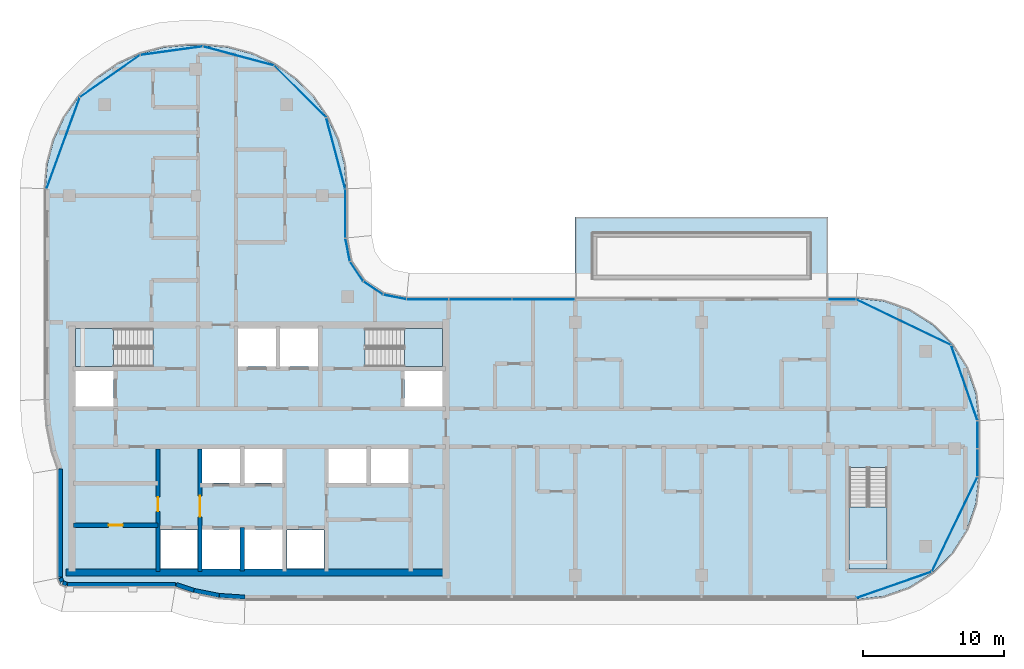
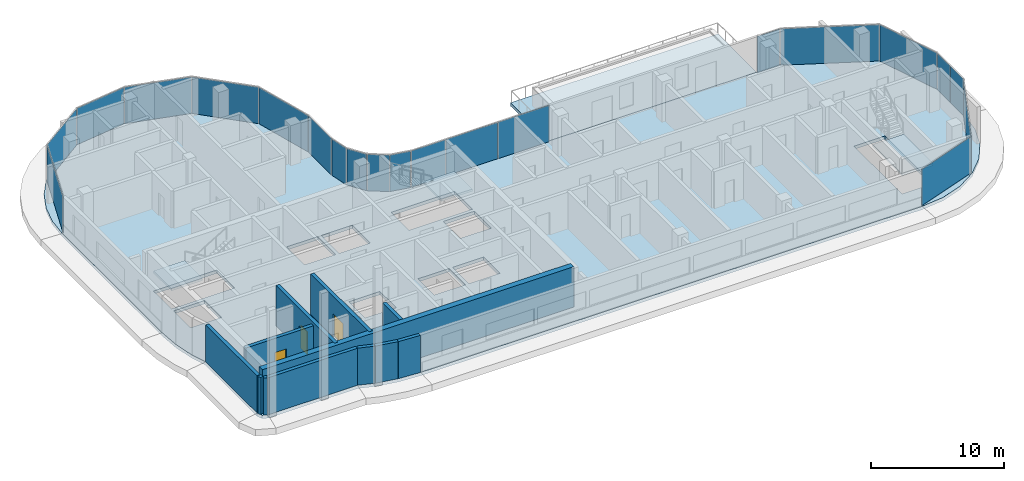
# One storey, part 8 of 20: 21 plates, 12 walls, 5 slabs, 3 doors, 3 openings, 11 elements without a shape of their own.
"""IFC4 building model written with IfcOpenShell, lengths in metres."""

from ifc_helpers import new_model, si_unit, direction, frame, frame_2d, origin, origin_2d, place, context, subcontext, project, spatial, polyline, rectangle, outline, extrude, material, layer, layer_set, type_object, element, fill, aggregate, save


model = new_model("IFC4")

# Units and contexts
model_context = context("Model", 3, precision=1e-05, world=origin(), true_north=direction((0.0, 1.0)))
body_context = subcontext(model_context, "Body", "Model", "MODEL_VIEW")
ifc_project = project(units=[si_unit("LENGTHUNIT", "METRE"), si_unit("AREAUNIT", "SQUARE_METRE"), si_unit("VOLUMEUNIT", "CUBIC_METRE"), si_unit("PLANEANGLEUNIT", "RADIAN"), si_unit("MASSUNIT", "GRAM", prefix="KILO")], contexts=[model_context])

# Site, building, storey
site_placement = place(None, origin())
site = spatial("IfcSite", under=ifc_project, at=site_placement, CompositionType="ELEMENT")
building_placement = place(site_placement, origin())
building = spatial("IfcBuilding", under=site, at=building_placement, Name="Ogive Portal Towers", CompositionType="ELEMENT")
storey_placement = place(building_placement, frame((0.0, 0.0, 195.800048828125)))
storey = spatial("IfcBuildingStorey", under=building, at=storey_placement, Name="L48", CompositionType="ELEMENT", Elevation=195.800048828125)

# Curtain wall, plates
ifc_material_1 = material(Name="Glass, clear low-iron insulated glazing", Category="glass")
curtain_wall_type = type_object("IfcCurtainWallType", Name="CW FRONT RIBBON 4500", PredefinedType="NOTDEFINED", material=ifc_material_1)
curtain_wall_1_placement = place(storey_placement, origin())
curtain_wall_1 = element("IfcCurtainWall", 1, at=curtain_wall_1_placement, inside=storey, type_object=curtain_wall_type, Name="A:L48:f10:cw0", PredefinedType="NOTDEFINED")
ifc_layer_1 = layer(ifc_material_1, 0.028076171875)
ifc_layer_set_1 = layer_set([ifc_layer_1], Name="CW PANEL IGU 28")
plate_type = type_object("IfcPlateType", Name="CW PANEL IGU 28", PredefinedType="CURTAIN_PANEL", material=ifc_layer_set_1)
plate_1_placement = place(storey_placement, frame((96.135009765625, 29.509033203125, 0.0), z_axis=(0.0, 0.0, 1.0), x_axis=(0.0, 1.0, 0.0)))
plate_1 = element("IfcPlate", 2, at=plate_1_placement, type_object=plate_type, Name="panel", PredefinedType="CURTAIN_PANEL", context=body_context, shape_type="SweptSolid", body=[
    extrude(rectangle(XDim=1.921630859375, YDim=0.028076171875, at=origin_2d()), origin(), (0.0, 0.0, 1.0), 3.340087890625),
])
plate_2_placement = place(storey_placement, frame((96.135009765625, 31.4931640625, 0.0), z_axis=(0.0, 0.0, 1.0), x_axis=(0.0, 1.0, 0.0)))
plate_2 = element("IfcPlate", 3, at=plate_2_placement, type_object=plate_type, Name="panel", PredefinedType="CURTAIN_PANEL", context=body_context, shape_type="SweptSolid", body=[
    extrude(rectangle(XDim=1.926513671875, YDim=0.028076171875, at=origin_2d()), origin(), (0.0, 0.0, 1.0), 3.340087890625),
])
aggregate(curtain_wall_1, [plate_1, plate_2])

# Curtain wall, plate
curtain_wall_2_placement = place(storey_placement, origin())
curtain_wall_2 = element("IfcCurtainWall", 4, at=curtain_wall_2_placement, inside=storey, type_object=curtain_wall_type, Name="A:L48:f13:cw0", PredefinedType="NOTDEFINED")
plate_3_placement = place(storey_placement, frame((86.482177734375, 41.135009765625, 0.0), z_axis=(0.0, 0.0, 1.0), x_axis=(-1.0, 0.0, 0.0)))
plate_3 = element("IfcPlate", 5, at=plate_3_placement, type_object=plate_type, Name="panel", PredefinedType="CURTAIN_PANEL", context=body_context, shape_type="SweptSolid", body=[
    extrude(rectangle(XDim=1.939453125, YDim=0.028076171875, at=origin_2d()), origin(), (0.0, 0.0, 1.0), 3.340087890625),
])
aggregate(curtain_wall_2, [plate_3])

# Curtain wall, plates
curtain_wall_3_placement = place(storey_placement, origin())
curtain_wall_3 = element("IfcCurtainWall", 6, at=curtain_wall_3_placement, inside=storey, type_object=curtain_wall_type, Name="A:L48:f13:cw1", PredefinedType="NOTDEFINED")
plate_4_placement = place(storey_placement, frame((65.244140625, 41.135009765625, 0.0), z_axis=(0.0, 0.0, 1.0), x_axis=(-1.0, 0.0, 0.0)))
plate_4 = element("IfcPlate", 7, at=plate_4_placement, type_object=plate_type, Name="panel", PredefinedType="CURTAIN_PANEL", context=body_context, shape_type="SweptSolid", body=[
    extrude(rectangle(XDim=4.42822265625, YDim=0.028076171875, at=origin_2d()), origin(), (0.0, 0.0, 1.0), 3.340087890625),
])
plate_5_placement = place(storey_placement, frame((60.75, 41.135009765625, 0.0), z_axis=(0.0, 0.0, 1.0), x_axis=(-1.0, 0.0, 0.0)))
plate_5 = element("IfcPlate", 8, at=plate_5_placement, type_object=plate_type, Name="panel", PredefinedType="CURTAIN_PANEL", context=body_context, shape_type="SweptSolid", body=[
    extrude(rectangle(XDim=4.43994140625, YDim=0.028076171875, at=origin_2d()), origin(), (0.0, 0.0, 1.0), 3.340087890625),
])
plate_6_placement = place(storey_placement, frame((56.99609375, 41.135009765625, 0.0), z_axis=(0.0, 0.0, 1.0), x_axis=(-1.0, 0.0, 0.0)))
plate_6 = element("IfcPlate", 9, at=plate_6_placement, type_object=plate_type, Name="panel", PredefinedType="CURTAIN_PANEL", context=body_context, shape_type="SweptSolid", body=[
    extrude(rectangle(XDim=2.947998046875, YDim=0.028076171875, at=origin_2d()), origin(), (0.0, 0.0, 1.0), 3.340087890625),
])
aggregate(curtain_wall_3, [plate_4, plate_5, plate_6])

# Curtain wall, plate
curtain_wall_4_placement = place(storey_placement, origin())
curtain_wall_4 = element("IfcCurtainWall", 10, at=curtain_wall_4_placement, inside=storey, type_object=curtain_wall_type, Name="A:L48:f18:cw0", PredefinedType="NOTDEFINED")
plate_7_placement = place(storey_placement, frame((51.135009765625, 47.24072265625, 0.0), z_axis=(0.0, 0.0, 1.0), x_axis=(0.0, 1.0, 0.0)))
plate_7 = element("IfcPlate", 11, at=plate_7_placement, type_object=plate_type, Name="panel", PredefinedType="CURTAIN_PANEL", context=body_context, shape_type="SweptSolid", body=[
    extrude(rectangle(XDim=3.437255859375, YDim=0.028076171875, at=origin_2d()), origin(), (0.0, 0.0, 1.0), 3.340087890625),
])
aggregate(curtain_wall_4, [plate_7])

# Curtain wall, plates
curtain_wall_5_placement = place(storey_placement, origin())
curtain_wall_5 = element("IfcCurtainWall", 12, at=curtain_wall_5_placement, inside=storey, type_object=curtain_wall_type, Name="A:L48:f08:cwa", PredefinedType="NOTDEFINED")
plate_8_placement = place(storey_placement, frame((90.18115234375, 20.807861328125, 0.0), z_axis=(0.0, 0.0, 1.0), x_axis=(0.943883330307, 0.33027906196, 0.0)))
plate_8 = element("IfcPlate", 13, at=plate_8_placement, type_object=plate_type, Name="panel", PredefinedType="CURTAIN_PANEL", context=body_context, shape_type="SweptSolid", body=[
    extrude(rectangle(XDim=5.650146484375, YDim=0.028076171875, at=origin_2d()), origin(), (0.0, 0.0, 1.0), 3.340087890625),
])
plate_9_placement = place(storey_placement, frame((94.505615234375, 25.134521484375, 0.0), z_axis=(0.0, 0.0, 1.0), x_axis=(0.433883739113, 0.900968867905, 0.0)))
plate_9 = element("IfcPlate", 14, at=plate_9_placement, type_object=plate_type, Name="panel", PredefinedType="CURTAIN_PANEL", context=body_context, shape_type="SweptSolid", body=[
    extrude(rectangle(XDim=7.451171875, YDim=0.028076171875, at=origin_2d()), origin(), (0.0, 0.0, 1.0), 3.340087890625),
])
aggregate(curtain_wall_5, [plate_8, plate_9])

curtain_wall_6_placement = place(storey_placement, origin())
curtain_wall_6 = element("IfcCurtainWall", 15, at=curtain_wall_6_placement, inside=storey, type_object=curtain_wall_type, Name="A:L48:f11:cwa", PredefinedType="NOTDEFINED")
plate_10_placement = place(storey_placement, frame((95.192138671875, 35.18115234375, 0.0), z_axis=(0.0, 0.0, 1.0), x_axis=(-0.33027906196, 0.943883330307, 0.0)))
plate_10 = element("IfcPlate", 16, at=plate_10_placement, type_object=plate_type, Name="panel", PredefinedType="CURTAIN_PANEL", context=body_context, shape_type="SweptSolid", body=[
    extrude(rectangle(XDim=5.650146484375, YDim=0.028076171875, at=origin_2d()), origin(), (0.0, 0.0, 1.0), 3.340087890625),
])
plate_11_placement = place(storey_placement, frame((90.865478515625, 39.505615234375, 0.0), z_axis=(0.0, 0.0, 1.0), x_axis=(-0.900968867905, 0.433883739113, 0.0)))
plate_11 = element("IfcPlate", 17, at=plate_11_placement, type_object=plate_type, Name="panel", PredefinedType="CURTAIN_PANEL", context=body_context, shape_type="SweptSolid", body=[
    extrude(rectangle(XDim=7.451171875, YDim=0.028076171875, at=origin_2d()), origin(), (0.0, 0.0, 1.0), 3.340087890625),
])
aggregate(curtain_wall_6, [plate_10, plate_11])

curtain_wall_7_placement = place(storey_placement, origin())
curtain_wall_7 = element("IfcCurtainWall", 18, at=curtain_wall_7_placement, inside=storey, type_object=curtain_wall_type, Name="A:L48:f14:cwa", PredefinedType="NOTDEFINED")
plate_12_placement = place(storey_placement, frame((54.66064453125, 41.30029296875, 0.0), z_axis=(0.0, 0.0, 1.0), x_axis=(-0.980785280403, 0.195090322016, 0.0)))
plate_12 = element("IfcPlate", 19, at=plate_12_placement, type_object=plate_type, Name="panel", PredefinedType="CURTAIN_PANEL", context=body_context, shape_type="SweptSolid", body=[
    extrude(rectangle(XDim=1.6357421875, YDim=0.028076171875, at=origin_2d()), origin(), (0.0, 0.0, 1.0), 3.340087890625),
])
plate_13_placement = place(storey_placement, frame((53.12060546875, 41.939208984375, 0.0), z_axis=(0.0, 0.0, 1.0), x_axis=(-0.831469612303, 0.55557023302, 0.0)))
plate_13 = element("IfcPlate", 20, at=plate_13_placement, type_object=plate_type, Name="panel", PredefinedType="CURTAIN_PANEL", context=body_context, shape_type="SweptSolid", body=[
    extrude(rectangle(XDim=1.643798828125, YDim=0.028076171875, at=origin_2d()), origin(), (0.0, 0.0, 1.0), 3.340087890625),
])
plate_14_placement = place(storey_placement, frame((51.939208984375, 43.12060546875, 0.0), z_axis=(0.0, 0.0, 1.0), x_axis=(-0.55557023302, 0.831469612303, 0.0)))
plate_14 = element("IfcPlate", 21, at=plate_14_placement, type_object=plate_type, Name="panel", PredefinedType="CURTAIN_PANEL", context=body_context, shape_type="SweptSolid", body=[
    extrude(rectangle(XDim=1.643798828125, YDim=0.028076171875, at=origin_2d()), origin(), (0.0, 0.0, 1.0), 3.340087890625),
])
plate_15_placement = place(storey_placement, frame((51.30029296875, 44.66064453125, 0.0), z_axis=(0.0, 0.0, 1.0), x_axis=(-0.195090322016, 0.980785280403, 0.0)))
plate_15 = element("IfcPlate", 22, at=plate_15_placement, type_object=plate_type, Name="panel", PredefinedType="CURTAIN_PANEL", context=body_context, shape_type="SweptSolid", body=[
    extrude(rectangle(XDim=1.6357421875, YDim=0.028076171875, at=origin_2d()), origin(), (0.0, 0.0, 1.0), 3.340087890625),
])
aggregate(curtain_wall_7, [plate_12, plate_13, plate_14, plate_15])

curtain_wall_8_placement = place(storey_placement, origin())
curtain_wall_8 = element("IfcCurtainWall", 23, at=curtain_wall_8_placement, inside=storey, type_object=curtain_wall_type, Name="A:L48:f19:cwa", PredefinedType="NOTDEFINED")
plate_16_placement = place(storey_placement, frame((50.454833984375, 51.52783203125, 0.0), z_axis=(0.0, 0.0, 1.0), x_axis=(-0.258819045103, 0.965925826289, 0.0)))
plate_16 = element("IfcPlate", 24, at=plate_16_placement, type_object=plate_type, Name="panel", PredefinedType="CURTAIN_PANEL", context=body_context, shape_type="SweptSolid", body=[
    extrude(rectangle(XDim=5.19580078125, YDim=0.028076171875, at=origin_2d()), origin(), (0.0, 0.0, 1.0), 3.340087890625),
])
plate_17_placement = place(storey_placement, frame((47.92041015625, 55.92041015625, 0.0), z_axis=(0.0, 0.0, 1.0), x_axis=(-0.707106781187, 0.707106781187, 0.0)))
plate_17 = element("IfcPlate", 25, at=plate_17_placement, type_object=plate_type, Name="panel", PredefinedType="CURTAIN_PANEL", context=body_context, shape_type="SweptSolid", body=[
    extrude(rectangle(XDim=5.184814453125, YDim=0.028076171875, at=origin_2d()), origin(), (0.0, 0.0, 1.0), 3.340087890625),
])
plate_18_placement = place(storey_placement, frame((43.530517578125, 58.4541015625, 0.0), z_axis=(0.0, 0.0, 1.0), x_axis=(-0.965925826289, 0.258819045103, 0.0)))
plate_18 = element("IfcPlate", 26, at=plate_18_placement, type_object=plate_type, Name="panel", PredefinedType="CURTAIN_PANEL", context=body_context, shape_type="SweptSolid", body=[
    extrude(rectangle(XDim=5.190185546875, YDim=0.028076171875, at=origin_2d()), origin(), (0.0, 0.0, 1.0), 3.340087890625),
])
plate_19_placement = place(storey_placement, frame((38.765625, 58.827880859375, 0.0), z_axis=(0.0, 0.0, 1.0), x_axis=(-0.990733764465, -0.135818290186, 0.0)))
plate_19 = element("IfcPlate", 27, at=plate_19_placement, type_object=plate_type, Name="panel", PredefinedType="CURTAIN_PANEL", context=body_context, shape_type="SweptSolid", body=[
    extrude(rectangle(XDim=4.440185546875, YDim=0.028076171875, at=origin_2d()), origin(), (0.0, 0.0, 1.0), 3.340087890625),
])
plate_20_placement = place(storey_placement, frame((34.388916015625, 57.0185546875, 0.0), z_axis=(0.0, 0.0, 1.0), x_axis=(-0.819152044289, -0.573576436351, 0.0)))
plate_20 = element("IfcPlate", 28, at=plate_20_placement, type_object=plate_type, Name="panel", PredefinedType="CURTAIN_PANEL", context=body_context, shape_type="SweptSolid", body=[
    extrude(rectangle(XDim=5.18310546875, YDim=0.028076171875, at=origin_2d()), origin(), (0.0, 0.0, 1.0), 3.340087890625),
])
plate_21_placement = place(storey_placement, frame((31.05322265625, 52.25048828125, 0.0), z_axis=(0.0, 0.0, 1.0), x_axis=(-0.342020143326, -0.939692620786, 0.0)))
plate_21 = element("IfcPlate", 29, at=plate_21_placement, type_object=plate_type, Name="panel", PredefinedType="CURTAIN_PANEL", context=body_context, shape_type="SweptSolid", body=[
    extrude(rectangle(XDim=6.88818359375, YDim=0.028076171875, at=origin_2d()), origin(), (0.0, 0.0, 1.0), 3.340087890625),
])
aggregate(curtain_wall_8, [plate_16, plate_17, plate_18, plate_19, plate_20, plate_21])

# Stair, slab
ifc_material_2 = material(Name="Concrete C40/50", Category="concrete")
stair_type = type_object("IfcStairType", Name="INT-STAIR", PredefinedType="HALF_TURN_STAIR", material=ifc_material_2)
stair_1_placement = place(storey_placement, origin())
stair_1 = element("IfcStair", 30, at=stair_1_placement, inside=storey, type_object=stair_type, Name="L48 Exit Stair ST-A1", PredefinedType="HALF_TURN_STAIR")
ifc_layer_2 = layer(ifc_material_2, 0.199951171875)
ifc_layer_set_2 = layer_set([ifc_layer_2], Name="INT-LANDING")
slab_type_1 = type_object("IfcSlabType", Name="INT-LANDING", PredefinedType="LANDING", material=ifc_layer_set_2)
slab_1_placement = place(storey_placement, frame((0.0, 0.0, 1.64990234375)))
slab_1 = element("IfcSlab", 31, at=slab_1_placement, type_object=slab_type_1, Name="ST-A1 landing 1", PredefinedType="LANDING", context=body_context, shape_type="SweptSolid", body=[
    extrude(outline(polyline([(34.64990234375, 39.050048828125), (31.949951171875, 39.050048828125), (31.949951171875, 36.35009765625), (34.64990234375, 36.35009765625), (34.64990234375, 39.050048828125)])), origin(), (0.0, 0.0, 1.0), 0.199951171875),
])
aggregate(stair_1, [slab_1])

stair_2_placement = place(storey_placement, origin())
stair_2 = element("IfcStair", 32, at=stair_2_placement, inside=storey, type_object=stair_type, Name="L48 Exit Stair ST-A2", PredefinedType="HALF_TURN_STAIR")
slab_2_placement = place(storey_placement, frame((0.0, 0.0, 1.64990234375)))
slab_2 = element("IfcSlab", 33, at=slab_2_placement, type_object=slab_type_1, Name="ST-A2 landing 1", PredefinedType="LANDING", context=body_context, shape_type="SweptSolid", body=[
    extrude(outline(polyline([(55.35009765625, 36.35009765625), (58.050048828125, 36.35009765625), (58.050048828125, 39.050048828125), (55.35009765625, 39.050048828125), (55.35009765625, 36.35009765625)])), origin(), (0.0, 0.0, 1.0), 0.199951171875),
])
aggregate(stair_2, [slab_2])

stair_3_placement = place(storey_placement, origin())
stair_3 = element("IfcStair", 34, at=stair_3_placement, inside=storey, type_object=stair_type, Name="L48 Exit Stair ST-A4", PredefinedType="HALF_TURN_STAIR")
slab_3_placement = place(storey_placement, frame((0.0, 0.0, 1.64990234375)))
slab_3 = element("IfcSlab", 35, at=slab_3_placement, type_object=slab_type_1, Name="ST-A4 landing 1", PredefinedType="LANDING", context=body_context, shape_type="SweptSolid", body=[
    extrude(outline(polyline([(87.0, 26.3701171875), (87.0, 21.949951171875), (89.699951171875, 21.949951171875), (89.699951171875, 26.3701171875), (87.0, 26.3701171875)])), origin(), (0.0, 0.0, 1.0), 0.199951171875),
])
aggregate(stair_3, [slab_3])

# Slabs
ifc_layer_3 = layer(ifc_material_2, 0.300048828125)
ifc_layer_set_3 = layer_set([ifc_layer_3], Name="POOL DECK SLAB 300")
slab_type_2 = type_object("IfcSlabType", Name="POOL DECK SLAB 300", PredefinedType="FLOOR", material=ifc_layer_set_3)
slab_4_placement = place(storey_placement, frame((0.0, 0.0, -0.300048828125)))
element("IfcSlab", 36, at=slab_4_placement, inside=storey, type_object=slab_type_2, Name="Sky pool deck", PredefinedType="FLOOR", context=body_context, shape_type="SweptSolid", body=[
    extrude(outline(polyline([(67.5, 41.215087890625), (85.5, 41.215087890625), (85.5, 47.0), (67.5, 47.0), (67.5, 41.215087890625)])), origin(), (0.0, 0.0, 1.0), 0.300048828125),
])
ifc_material_3 = material(Name="Concrete C45/55", Category="concrete")
ifc_layer_4 = layer(ifc_material_3, 0.300048828125)
ifc_layer_set_4 = layer_set([ifc_layer_4], Name="PT FLAT PLATE 300")
slab_type_3 = type_object("IfcSlabType", Name="PT FLAT PLATE 300", PredefinedType="FLOOR", material=ifc_layer_set_4)
slab_5_placement = place(storey_placement, frame((0.0, 0.0, -0.300048828125)))
element("IfcSlab", 37, at=slab_5_placement, inside=storey, type_object=slab_type_3, Name="Floor slab L48", PredefinedType="FLOOR", context=body_context, shape_type="SweptSolid", body=[
    extrude(outline(polyline([(29.906494140625, 32.14453125), (30.269287109375, 30.32080078125), (30.699951171875, 29.05224609375), (30.699951171875, 21.300048828125), (30.875732421875, 20.875732421875), (31.300048828125, 20.699951171875), (39.05224609375, 20.699951171875), (40.32080078125, 20.269287109375), (42.14453125, 19.906494140625), (44.0, 19.784912109375), (87.5, 19.784912109375), (89.439208984375, 20.00341796875), (91.28125, 20.648193359375), (92.93359375, 21.686279296875), (94.313720703125, 23.06640625), (95.351806640625, 24.71875), (95.99658203125, 26.560791015625), (96.215087890625, 28.5), (96.215087890625, 32.5), (95.99658203125, 34.439208984375), (95.351806640625, 36.28125), (94.313720703125, 37.93359375), (92.93359375, 39.313720703125), (91.28125, 40.351806640625), (89.439208984375, 40.99658203125), (87.5, 41.215087890625), (55.5, 41.215087890625), (53.860107421875, 41.541259765625), (52.469970703125, 42.469970703125), (51.541259765625, 43.860107421875), (51.215087890625, 45.5), (51.215087890625, 49.0), (51.059814453125, 50.773681640625), (50.59912109375, 52.49365234375), (49.846435546875, 54.107421875), (48.8251953125, 55.566162109375), (47.566162109375, 56.8251953125), (46.107421875, 57.846435546875), (44.49365234375, 58.59912109375), (42.773681640625, 59.059814453125), (41.0, 59.215087890625), (40.0, 59.215087890625), (38.226318359375, 59.059814453125), (36.50634765625, 58.59912109375), (34.892578125, 57.846435546875), (33.433837890625, 56.8251953125), (32.1748046875, 55.566162109375), (31.153564453125, 54.107421875), (30.40087890625, 52.49365234375), (29.940185546875, 50.773681640625), (29.784912109375, 49.0), (29.784912109375, 34.0), (29.906494140625, 32.14453125)]), holes=[polyline([(40.6298828125, 24.72998046875), (40.6298828125, 21.969970703125), (37.969970703125, 21.969970703125), (37.969970703125, 24.72998046875), (40.6298828125, 24.72998046875)]), polyline([(43.64990234375, 24.75), (43.64990234375, 21.949951171875), (40.949951171875, 21.949951171875), (40.949951171875, 24.75), (43.64990234375, 24.75)]), polyline([(46.64990234375, 24.75), (46.64990234375, 21.949951171875), (43.949951171875, 21.949951171875), (43.949951171875, 24.75), (46.64990234375, 24.75)]), polyline([(43.64990234375, 30.5), (43.64990234375, 28.050048828125), (40.949951171875, 28.050048828125), (40.949951171875, 30.5), (43.64990234375, 30.5)]), polyline([(46.64990234375, 30.5), (46.64990234375, 28.050048828125), (43.949951171875, 28.050048828125), (43.949951171875, 30.5), (46.64990234375, 30.5)]), polyline([(34.64990234375, 36.050048828125), (34.64990234375, 33.5), (31.949951171875, 33.5), (31.949951171875, 36.050048828125), (34.64990234375, 36.050048828125)]), polyline([(31.951904296875, 39.048095703125), (37.447998046875, 39.048095703125), (37.447998046875, 36.35205078125), (31.951904296875, 36.35205078125), (31.951904296875, 39.048095703125)]), polyline([(46.199951171875, 39.050048828125), (46.199951171875, 36.35009765625), (43.5, 36.35009765625), (43.5, 39.050048828125), (46.199951171875, 39.050048828125)]), polyline([(49.6298828125, 21.969970703125), (46.969970703125, 21.969970703125), (46.969970703125, 24.72998046875), (49.6298828125, 24.72998046875), (49.6298828125, 21.969970703125)]), polyline([(87.001953125, 21.951904296875), (87.001953125, 29.16796875), (89.697998046875, 29.16796875), (89.697998046875, 21.951904296875), (87.001953125, 21.951904296875)]), polyline([(52.64990234375, 30.5), (52.64990234375, 28.050048828125), (49.949951171875, 28.050048828125), (49.949951171875, 30.5), (52.64990234375, 30.5)]), polyline([(55.64990234375, 30.5), (55.64990234375, 28.050048828125), (52.949951171875, 28.050048828125), (52.949951171875, 30.5), (55.64990234375, 30.5)]), polyline([(58.050048828125, 36.050048828125), (58.050048828125, 33.5), (55.35009765625, 33.5), (55.35009765625, 36.050048828125), (58.050048828125, 36.050048828125)]), polyline([(49.199951171875, 39.050048828125), (49.199951171875, 36.35009765625), (46.5, 36.35009765625), (46.5, 39.050048828125), (49.199951171875, 39.050048828125)]), polyline([(58.048095703125, 36.35205078125), (52.552001953125, 36.35205078125), (52.552001953125, 39.048095703125), (58.048095703125, 39.048095703125), (58.048095703125, 36.35205078125)])]), origin(), (0.0, 0.0, 1.0), 0.300048828125),
])

# Wall, opening, door
ifc_material_4 = material(Name="Concrete C60/75", Category="concrete")
ifc_layer_5 = layer(ifc_material_4, 0.300048828125)
ifc_layer_set_5 = layer_set([ifc_layer_5], Name="CORE WALL 300 C60")
wall_type_1 = type_object("IfcWallType", Name="CORE WALL 300 C60", PredefinedType="SHEAR", material=ifc_layer_set_5)
wall_1_placement = place(storey_placement, frame((37.800048828125, 21.75, 0.0), z_axis=(0.0, 0.0, 1.0), x_axis=(0.0, 1.0, 0.0)))
wall_1 = element("IfcWall", 38, at=wall_1_placement, inside=storey, type_object=wall_type_1, Name="Core wall X1 L48", PredefinedType="SHEAR", context=body_context, shape_type="SweptSolid", body=[
    extrude(rectangle(XDim=8.75, YDim=0.300048828125, at=frame_2d((4.375, 0.0))), origin(), (0.0, 0.0, 1.0), 3.699951171875),
])
opening_1_placement = place(wall_1_placement, frame((4.300048828125, 0.0, 0.0)))
opening_1 = element("IfcOpeningElement", 39, at=opening_1_placement, cuts=wall_1, Name="Opening D35-022", PredefinedType="OPENING", context=body_context, shape_type="SweptSolid", body=[
    extrude(rectangle(XDim=1.0, YDim=2.10009765625, at=frame_2d((0.5, 1.050048828125))), frame((0.0, 0.16015625, 0.0), z_axis=(0.0, -1.0, 0.0), x_axis=(1.0, 0.0, 0.0)), (0.0, 0.0, 1.0), 0.320068359375),
])
ifc_material_5 = material(Name="Steel fire door", Category="steel")
door_type_1 = type_object("IfcDoorType", Name="DT-SWING-1000x2100-FD90S", OperationType="SINGLE_SWING_LEFT", PredefinedType="DOOR", material=ifc_material_5)
door_1_placement = place(opening_1_placement, origin())
door_1 = element("IfcDoor", 40, at=door_1_placement, inside=storey, type_object=door_type_1, Name="Door D35-022", OperationType="SINGLE_SWING_RIGHT", OverallHeight=2.10009765625, OverallWidth=1.0, PredefinedType="DOOR", context=body_context, shape_type="SweptSolid", body=[
    extrude(rectangle(XDim=1.0, YDim=2.10009765625, at=frame_2d((0.5, 1.050048828125))), frame((0.0, 0.02490234375, 0.0), z_axis=(0.0, -1.0, 0.0), x_axis=(1.0, 0.0, 0.0)), (0.0, 0.0, 1.0), 0.050048828125),
])
fill(opening_1, door_1)

wall_2_placement = place(storey_placement, frame((40.800048828125, 21.75, 0.0), z_axis=(0.0, 0.0, 1.0), x_axis=(0.0, 1.0, 0.0)))
wall_2 = element("IfcWall", 41, at=wall_2_placement, inside=storey, type_object=wall_type_1, Name="Core wall X2 L48", PredefinedType="SHEAR", context=body_context, shape_type="SweptSolid", body=[
    extrude(rectangle(XDim=8.75, YDim=0.300048828125, at=frame_2d((4.375, 0.0))), origin(), (0.0, 0.0, 1.0), 3.699951171875),
])
opening_2_placement = place(wall_2_placement, frame((3.89990234375, 0.0, 0.0)))
opening_2 = element("IfcOpeningElement", 42, at=opening_2_placement, cuts=wall_2, Name="Opening D35-001", PredefinedType="OPENING", context=body_context, shape_type="SweptSolid", body=[
    extrude(rectangle(XDim=1.5, YDim=2.10009765625, at=frame_2d((0.75, 1.050048828125))), frame((0.0, 0.16015625, 0.0), z_axis=(0.0, -1.0, 0.0), x_axis=(1.0, 0.0, 0.0)), (0.0, 0.0, 1.0), 0.320068359375),
])
door_type_2 = type_object("IfcDoorType", Name="DT-SWING-1500x2100-FD90S", OperationType="SINGLE_SWING_LEFT", PredefinedType="DOOR", material=ifc_material_5)
door_2_placement = place(opening_2_placement, origin())
door_2 = element("IfcDoor", 43, at=door_2_placement, inside=storey, type_object=door_type_2, Name="Door D35-001", OperationType="SINGLE_SWING_RIGHT", OverallHeight=2.10009765625, OverallWidth=1.5, PredefinedType="DOOR", context=body_context, shape_type="SweptSolid", body=[
    extrude(rectangle(XDim=1.5, YDim=2.10009765625, at=frame_2d((0.75, 1.050048828125))), frame((0.0, 0.02490234375, 0.0), z_axis=(0.0, -1.0, 0.0), x_axis=(1.0, 0.0, 0.0)), (0.0, 0.0, 1.0), 0.050048828125),
])
fill(opening_2, door_2)

# Walls
ifc_layer_6 = layer(ifc_material_4, 0.5)
ifc_layer_set_6 = layer_set([ifc_layer_6], Name="CORE WALL 500 C60")
wall_type_2 = type_object("IfcWallType", Name="CORE WALL 500 C60", PredefinedType="SHEAR", material=ifc_layer_set_6)
wall_3_placement = place(storey_placement, frame((31.25, 21.699951171875, 0.0), z_axis=(0.0, 0.0, 1.0), x_axis=(1.0, 0.0, 0.0)))
element("IfcWall", 44, at=wall_3_placement, inside=storey, type_object=wall_type_2, Name="Core wall S L48", PredefinedType="SHEAR", context=body_context, shape_type="SweptSolid", body=[
    extrude(rectangle(XDim=27.0, YDim=0.5, at=frame_2d((13.5, 0.0))), origin(), (0.0, 0.0, 1.0), 3.699951171875),
])
ifc_material_6 = material(Name="Limestone cladding on lightweight block wall", Category="masonry")
ifc_layer_7 = layer(ifc_material_6, 0.300048828125)
ifc_layer_set_7 = layer_set([ifc_layer_7], Name="EXTERNAL WALL 300 STONE")
wall_type_3 = type_object("IfcWallType", Name="EXTERNAL WALL 300 STONE", PredefinedType="SOLIDWALL", material=ifc_layer_set_7)
wall_4_placement = place(storey_placement, frame((30.85009765625, 29.05224609375, 0.0), z_axis=(0.0, 0.0, 1.0), x_axis=(0.0, -1.0, 0.0)))
element("IfcWall", 45, at=wall_4_placement, inside=storey, type_object=wall_type_3, Name="A:L48:f00:r0:wall", PredefinedType="SOLIDWALL", context=body_context, shape_type="SweptSolid", body=[
    extrude(rectangle(XDim=7.692626953125, YDim=0.300048828125, at=frame_2d((3.84619140625, 0.0))), origin(), (0.0, 0.0, 1.0), 3.39990234375),
])
for number, where, z_axis, x_axis, name in (
    (46, (30.861328125, 21.30224609375, 0.0), (0.0, 0.0, 1.0), (0.38297812142, -0.923757413239, 0.0), "A:L48:f01:r0:wall"),
    (47, (31.0478515625, 20.966796875, 0.0), (0.0, 0.0, 1.0), (0.923757413239, -0.38297812142, 0.0), "A:L48:f02:r0:wall"),
):
    element("IfcWall", number, at=place(storey_placement, frame(where, z_axis=z_axis, x_axis=x_axis)), inside=storey, type_object=wall_type_3, Name=name, PredefinedType="SOLIDWALL", context=body_context, shape_type="SweptSolid", body=[
        extrude(rectangle(XDim=0.275390625, YDim=0.300048828125, at=frame_2d((0.1376953125, 0.0))), origin(), (0.0, 0.0, 1.0), 3.39990234375),
    ])
wall_5_placement = place(storey_placement, frame((31.359619140625, 20.85009765625, 0.0), z_axis=(0.0, 0.0, 1.0), x_axis=(1.0, 0.0, 0.0)))
element("IfcWall", 48, at=wall_5_placement, inside=storey, type_object=wall_type_3, Name="A:L48:f03:r0:wall", PredefinedType="SOLIDWALL", context=body_context, shape_type="SweptSolid", body=[
    extrude(rectangle(XDim=7.692626953125, YDim=0.300048828125, at=frame_2d((3.84619140625, 0.0))), origin(), (0.0, 0.0, 1.0), 3.39990234375),
])
wall_6_placement = place(storey_placement, frame((39.1005859375, 20.842041015625, 0.0), z_axis=(0.0, 0.0, 1.0), x_axis=(0.946930456305, -0.32143850255, 0.0)))
element("IfcWall", 49, at=wall_6_placement, inside=storey, type_object=wall_type_3, Name="A:L48:f04:r0:wall", PredefinedType="SOLIDWALL", context=body_context, shape_type="SweptSolid", body=[
    extrude(rectangle(XDim=1.320068359375, YDim=0.300048828125, at=frame_2d((0.66015625, 0.0))), origin(), (0.0, 0.0, 1.0), 3.39990234375),
])
wall_7_placement = place(storey_placement, frame((40.369384765625, 20.41259765625, 0.0), z_axis=(0.0, 0.0, 1.0), x_axis=(0.980796757168, -0.195032615553, 0.0)))
element("IfcWall", 50, at=wall_7_placement, inside=storey, type_object=wall_type_3, Name="A:L48:f05:r0:wall", PredefinedType="SOLIDWALL", context=body_context, shape_type="SweptSolid", body=[
    extrude(rectangle(XDim=1.820068359375, YDim=0.300048828125, at=frame_2d((0.91015625, 0.0))), origin(), (0.0, 0.0, 1.0), 3.39990234375),
])
wall_8_placement = place(storey_placement, frame((42.174072265625, 20.054931640625, 0.0), z_axis=(0.0, 0.0, 1.0), x_axis=(0.997860660543, -0.065376617685, 0.0)))
element("IfcWall", 51, at=wall_8_placement, inside=storey, type_object=wall_type_3, Name="A:L48:f06:r0:wall", PredefinedType="SOLIDWALL", context=body_context, shape_type="SweptSolid", body=[
    extrude(rectangle(XDim=1.829833984375, YDim=0.300048828125, at=frame_2d((0.9150390625, 0.0))), origin(), (0.0, 0.0, 1.0), 3.39990234375),
])

# Wall, opening, door
ifc_material_7 = material(Name="Gypsum board partition on steel studs", Category="steel")
ifc_layer_8 = layer(ifc_material_7, 0.300048828125)
ifc_layer_set_8 = layer_set([ifc_layer_8], Name="WT-PART-300")
wall_type_4 = type_object("IfcWallType", Name="WT-PART-300", PredefinedType="PARTITIONING", material=ifc_layer_set_8)
wall_9_placement = place(storey_placement, frame((31.800048828125, 25.050048828125, 0.0), z_axis=(0.0, 0.0, 1.0), x_axis=(1.0, 0.0, 0.0)))
wall_9 = element("IfcWall", 52, at=wall_9_placement, inside=storey, type_object=wall_type_4, Name="Wall pw:002:L48", PredefinedType="PARTITIONING", context=body_context, shape_type="SweptSolid", body=[
    extrude(rectangle(XDim=6.0, YDim=0.300048828125, at=frame_2d((3.0, 0.0))), origin(), (0.0, 0.0, 1.0), 3.39990234375),
])
opening_3_placement = place(wall_9_placement, frame((2.5, 0.0, 0.0)))
opening_3 = element("IfcOpeningElement", 53, at=opening_3_placement, cuts=wall_9, Name="Opening D35-023", PredefinedType="OPENING", context=body_context, shape_type="SweptSolid", body=[
    extrude(rectangle(XDim=1.0, YDim=2.10009765625, at=frame_2d((0.5, 1.050048828125))), frame((0.0, 0.16015625, 0.0), z_axis=(0.0, -1.0, 0.0), x_axis=(1.0, 0.0, 0.0)), (0.0, 0.0, 1.0), 0.320068359375),
])
door_type_3 = type_object("IfcDoorType", Name="DT-SWING-1000x2100-FD60S", OperationType="SINGLE_SWING_LEFT", PredefinedType="DOOR", material=ifc_material_5)
door_3_placement = place(opening_3_placement, origin())
door_3 = element("IfcDoor", 54, at=door_3_placement, inside=storey, type_object=door_type_3, Name="Door D35-023", OperationType="SINGLE_SWING_RIGHT", OverallHeight=2.10009765625, OverallWidth=1.0, PredefinedType="DOOR", context=body_context, shape_type="SweptSolid", body=[
    extrude(rectangle(XDim=1.0, YDim=2.10009765625, at=frame_2d((0.5, 1.050048828125))), frame((0.0, 0.02490234375, 0.0), z_axis=(0.0, -1.0, 0.0), x_axis=(1.0, 0.0, 0.0)), (0.0, 0.0, 1.0), 0.050048828125),
])
fill(opening_3, door_3)

# Wall
ifc_layer_9 = layer(ifc_material_2, 0.300048828125)
ifc_layer_set_9 = layer_set([ifc_layer_9], Name="WT-SHAFT-300")
wall_type_5 = type_object("IfcWallType", Name="WT-SHAFT-300", PredefinedType="SOLIDWALL", material=ifc_layer_set_9)
wall_10_placement = place(storey_placement, frame((43.800048828125, 21.800048828125, 0.0), z_axis=(0.0, 0.0, 1.0), x_axis=(0.0, 1.0, 0.0)))
element("IfcWall", 55, at=wall_10_placement, inside=storey, type_object=wall_type_5, Name="Wall pw:009:L48", PredefinedType="SOLIDWALL", context=body_context, shape_type="SweptSolid", body=[
    extrude(rectangle(XDim=3.099853515625, YDim=0.300048828125, at=frame_2d((1.5498046875, 0.0))), origin(), (0.0, 0.0, 1.0), 3.39990234375),
])

save(model, "model.ifc")
